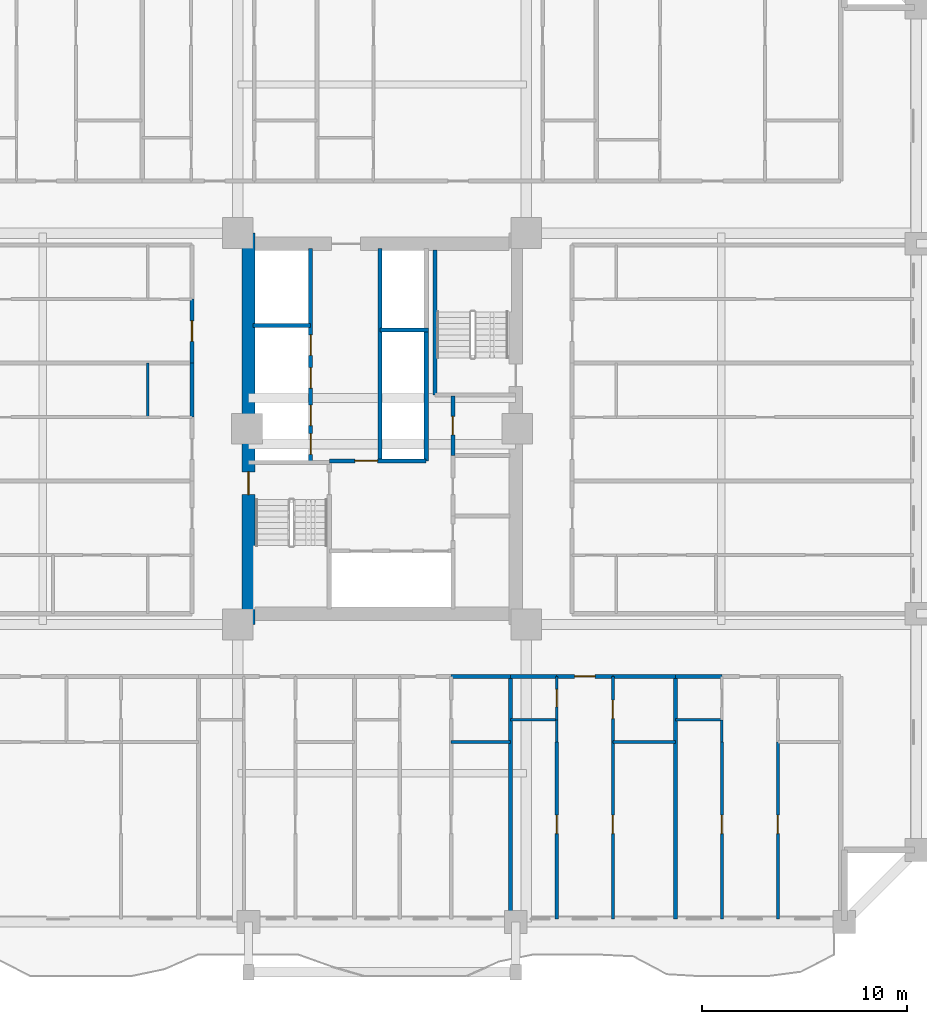
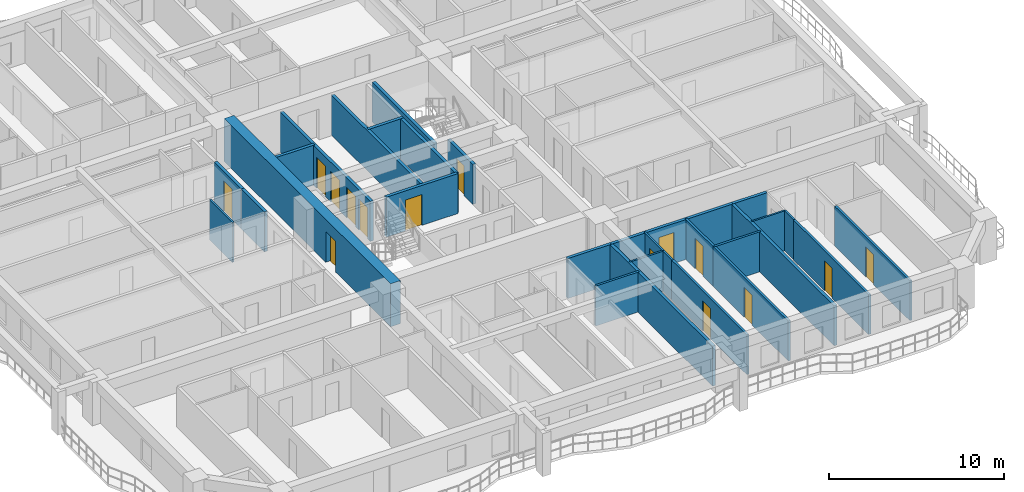
# One storey, part 5 of 16: 31 walls, 15 doors, 15 openings.
"""IFC4 building model written with IfcOpenShell, lengths in metres."""

from ifc_helpers import new_model, si_unit, direction, frame, frame_2d, origin, place, context, subcontext, project, spatial, rectangle, extrude, source, transform, mapped, material, layer, layer_set, type_object, element, fill, save


model = new_model("IFC4")

# Units and contexts
model_context = context("Model", 3, precision=1e-05, world=origin(), true_north=direction((0.0, 1.0)))
body_context = subcontext(model_context, "Body", "Model", "MODEL_VIEW")
ifc_project = project(units=[si_unit("LENGTHUNIT", "METRE"), si_unit("AREAUNIT", "SQUARE_METRE"), si_unit("VOLUMEUNIT", "CUBIC_METRE"), si_unit("PLANEANGLEUNIT", "RADIAN"), si_unit("MASSUNIT", "GRAM", prefix="KILO")], contexts=[model_context])

# Site, building, storey
site_placement = place(None, origin())
site = spatial("IfcSite", under=ifc_project, at=site_placement, CompositionType="ELEMENT")
building_placement = place(site_placement, origin())
building = spatial("IfcBuilding", under=site, at=building_placement, Name="Saelheon Loggia Tower", CompositionType="ELEMENT")
storey_placement = place(building_placement, frame((0.0, 0.0, 58.39990234375)))
storey = spatial("IfcBuildingStorey", under=building, at=storey_placement, Name="L18", CompositionType="ELEMENT", Elevation=58.39990234375)

# Wall, opening, door
ifc_material_1 = material(Name="Concrete C60/75", Category="concrete")
ifc_layer_1 = layer(ifc_material_1, 0.64990234375)
ifc_layer_set_1 = layer_set([ifc_layer_1], Name="Concrete C60/75")
wall_type_1 = type_object("IfcWallType", Name="Wall_CoreShear_650", PredefinedType="SHEAR", material=ifc_layer_set_1)
wall_1_placement = place(storey_placement, frame((31.5, 17.47998046875, 0.0), z_axis=(0.0, 0.0, 1.0), x_axis=(0.0, 1.0, 0.0)))
wall_1 = element("IfcWall", 1, at=wall_1_placement, inside=storey, type_object=wall_type_1, Name="L18 Core Shear Wall West", PredefinedType="SHEAR", context=body_context, shape_type="SweptSolid", body=[
    extrude(rectangle(XDim=19.0400390625, YDim=0.64990234375, at=frame_2d((9.52001953125, 0.0))), origin(), (0.0, 0.0, 1.0), 3.0),
])
opening_1_placement = place(wall_1_placement, frame((6.320068359375, 0.0, 0.0)))
opening_1 = element("IfcOpeningElement", 2, at=opening_1_placement, cuts=wall_1, Name="Opening D-FD2", PredefinedType="OPENING", context=body_context, shape_type="SweptSolid", body=[
    extrude(rectangle(XDim=1.10009765625, YDim=2.14990234375, at=frame_2d((0.550048828125, 1.074951171875))), frame((0.0, 0.3369140625, 0.0), z_axis=(0.0, -1.0, 0.0), x_axis=(1.0, 0.0, 0.0)), (0.0, 0.0, 1.0), 0.673828125),
])
ifc_material_2 = material(Name="Galvanised Steel Fire Door", Category="steel")
door_type_1 = type_object("IfcDoorType", Name="Door_Fire_FD60_1100", OperationType="NOTDEFINED", PredefinedType="DOOR", material=ifc_material_2)
shared_shape_1 = source(origin(), body_context, "Body", "SweptSolid", [
    extrude(rectangle(XDim=1.10009765625, YDim=2.14990234375, at=frame_2d((0.550048828125, 1.074951171875))), frame((0.0, 0.02490234375, 0.0), z_axis=(0.0, -1.0, 0.0), x_axis=(1.0, 0.0, 0.0)), (0.0, 0.0, 1.0), 0.050048828125),
])
door_1_placement = place(opening_1_placement, origin())
door_1 = element("IfcDoor", 3, at=door_1_placement, inside=storey, type_object=door_type_1, Name="L18 Stair ST1 Corridor Door", OperationType="SINGLE_SWING_LEFT", OverallHeight=2.14990234375, OverallWidth=1.10009765625, PredefinedType="DOOR", context=body_context, shape_type="MappedRepresentation", body=[
    mapped(shared_shape_1, transform((0.0, 0.0, 0.0), scale=1.0)),
])
fill(opening_1, door_1)

# Walls
ifc_material_3 = material(Name="Lightweight Autoclaved Aerated Concrete Block and Acoustic Gypsum", Category="concrete")
ifc_layer_2 = layer(ifc_material_3, 0.14990234375)
ifc_layer_set_2 = layer_set([ifc_layer_2], Name="Lightweight Autoclaved Aerated Concrete Block and Acoustic Gypsum")
wall_type_2 = type_object("IfcWallType", Name="Wall_Part_150", PredefinedType="PARTITIONING", material=ifc_layer_set_2)
wall_2_placement = place(storey_placement, frame((41.365966796875, 11.75, 0.0), z_axis=(0.0, 0.0, 1.0), x_axis=(1.0, 0.0, 0.0)))
element("IfcWall", 4, at=wall_2_placement, inside=storey, type_object=wall_type_2, Name="L18 S Partition V33", PredefinedType="PARTITIONING", context=body_context, shape_type="SweptSolid", body=[
    extrude(rectangle(XDim=2.883544921875, YDim=0.14990234375, at=frame_2d((1.44189453125, 0.0))), origin(), (0.0, 0.0, 1.0), 2.7900390625),
])
wall_3_placement = place(storey_placement, frame((49.2314453125, 11.75, 0.0), z_axis=(0.0, 0.0, 1.0), x_axis=(1.0, 0.0, 0.0)))
element("IfcWall", 5, at=wall_3_placement, inside=storey, type_object=wall_type_2, Name="L18 S Partition V44", PredefinedType="PARTITIONING", context=body_context, shape_type="SweptSolid", body=[
    extrude(rectangle(XDim=3.053466796875, YDim=0.14990234375, at=frame_2d((1.52685546875, 0.0))), origin(), (0.0, 0.0, 1.0), 2.7900390625),
])

# Wall, opening, door
wall_4_placement = place(storey_placement, frame((46.49951171875, 11.75, 0.0), z_axis=(0.0, 0.0, 1.0), x_axis=(0.0, -1.0, 0.0)))
wall_4 = element("IfcWall", 6, at=wall_4_placement, inside=storey, type_object=wall_type_2, Name="L18 S Partition U47", PredefinedType="PARTITIONING", context=body_context, shape_type="SweptSolid", body=[
    extrude(rectangle(XDim=8.60009765625, YDim=0.14990234375, at=frame_2d((4.300048828125, 0.0))), origin(), (0.0, 0.0, 1.0), 2.7900390625),
])
opening_2_placement = place(wall_4_placement, frame((3.54931640625, 0.0, 0.0)))
opening_2 = element("IfcOpeningElement", 7, at=opening_2_placement, cuts=wall_4, Name="Opening D-IN2", PredefinedType="OPENING", context=body_context, shape_type="SweptSolid", body=[
    extrude(rectangle(XDim=0.89990234375, YDim=2.10009765625, at=frame_2d((0.449951171875, 1.050048828125))), frame((0.0, 0.0869140625, 0.0), z_axis=(0.0, -1.0, 0.0), x_axis=(1.0, 0.0, 0.0)), (0.0, 0.0, 1.0), 0.173828125),
])
ifc_material_4 = material(Name="Engineered Oak Flush Door", Category="timber")
door_type_2 = type_object("IfcDoorType", Name="Door_Int_900", OperationType="NOTDEFINED", PredefinedType="DOOR", material=ifc_material_4)
shared_shape_2 = source(origin(), body_context, "Body", "SweptSolid", [
    extrude(rectangle(XDim=0.89990234375, YDim=2.10009765625, at=frame_2d((0.449951171875, 1.050048828125))), frame((0.0, 0.02490234375, 0.0), z_axis=(0.0, -1.0, 0.0), x_axis=(1.0, 0.0, 0.0)), (0.0, 0.0, 1.0), 0.050048828125),
])
door_2_placement = place(opening_2_placement, origin())
door_2 = element("IfcDoor", 8, at=door_2_placement, inside=storey, type_object=door_type_2, Name="Unit U04 Kitchen Door", OperationType="SINGLE_SWING_LEFT", OverallHeight=2.10009765625, OverallWidth=0.89990234375, PredefinedType="DOOR", context=body_context, shape_type="MappedRepresentation", body=[
    mapped(shared_shape_2, transform((0.0, 0.0, 0.0), scale=1.0)),
])
fill(opening_2, door_2)

wall_5_placement = place(storey_placement, frame((49.2314453125, 14.949951171875, 0.0), z_axis=(0.0, 0.0, 1.0), x_axis=(0.0, -1.0, 0.0)))
wall_5 = element("IfcWall", 9, at=wall_5_placement, inside=storey, type_object=wall_type_2, Name="L18 S Partition U48", PredefinedType="PARTITIONING", context=body_context, shape_type="SweptSolid", body=[
    extrude(rectangle(XDim=3.199951171875, YDim=0.14990234375, at=frame_2d((1.60009765625, 0.0))), origin(), (0.0, 0.0, 1.0), 2.7900390625),
])
opening_3_placement = place(wall_5_placement, frame((1.14990234375, 0.0, 0.0)))
opening_3 = element("IfcOpeningElement", 10, at=opening_3_placement, cuts=wall_5, Name="Opening D-IN2", PredefinedType="OPENING", context=body_context, shape_type="SweptSolid", body=[
    extrude(rectangle(XDim=0.89990234375, YDim=2.10009765625, at=frame_2d((0.449951171875, 1.050048828125))), frame((0.0, 0.0869140625, 0.0), z_axis=(0.0, -1.0, 0.0), x_axis=(1.0, 0.0, 0.0)), (0.0, 0.0, 1.0), 0.173828125),
])
door_3_placement = place(opening_3_placement, origin())
door_3 = element("IfcDoor", 11, at=door_3_placement, inside=storey, type_object=door_type_2, Name="Unit U04 Dressing Closet Door", OperationType="SINGLE_SWING_RIGHT", OverallHeight=2.10009765625, OverallWidth=0.89990234375, PredefinedType="DOOR", context=body_context, shape_type="MappedRepresentation", body=[
    mapped(shared_shape_2, transform((0.0, 0.0, 0.0), scale=1.0)),
])
fill(opening_3, door_3)

wall_6_placement = place(storey_placement, frame((49.2314453125, 11.75, 0.0), z_axis=(0.0, 0.0, 1.0), x_axis=(0.0, -1.0, 0.0)))
wall_6 = element("IfcWall", 12, at=wall_6_placement, inside=storey, type_object=wall_type_2, Name="L18 S Partition U49", PredefinedType="PARTITIONING", context=body_context, shape_type="SweptSolid", body=[
    extrude(rectangle(XDim=8.60009765625, YDim=0.14990234375, at=frame_2d((4.300048828125, 0.0))), origin(), (0.0, 0.0, 1.0), 2.7900390625),
])
opening_4_placement = place(wall_6_placement, frame((3.54931640625, 0.0, 0.0)))
opening_4 = element("IfcOpeningElement", 13, at=opening_4_placement, cuts=wall_6, Name="Opening D-IN2", PredefinedType="OPENING", context=body_context, shape_type="SweptSolid", body=[
    extrude(rectangle(XDim=0.89990234375, YDim=2.10009765625, at=frame_2d((0.449951171875, 1.050048828125))), frame((0.0, 0.0869140625, 0.0), z_axis=(0.0, -1.0, 0.0), x_axis=(1.0, 0.0, 0.0)), (0.0, 0.0, 1.0), 0.173828125),
])
door_4_placement = place(opening_4_placement, origin())
door_4 = element("IfcDoor", 14, at=door_4_placement, inside=storey, type_object=door_type_2, Name="Unit U04 Bedroom 1 Door", OperationType="SINGLE_SWING_LEFT", OverallHeight=2.10009765625, OverallWidth=0.89990234375, PredefinedType="DOOR", context=body_context, shape_type="MappedRepresentation", body=[
    mapped(shared_shape_2, transform((0.0, 0.0, 0.0), scale=1.0)),
])
fill(opening_4, door_4)

wall_7_placement = place(storey_placement, frame((54.53466796875, 11.75, 0.0), z_axis=(0.0, 0.0, 1.0), x_axis=(0.0, -1.0, 0.0)))
wall_7 = element("IfcWall", 15, at=wall_7_placement, inside=storey, type_object=wall_type_2, Name="L18 S Partition U58", PredefinedType="PARTITIONING", context=body_context, shape_type="SweptSolid", body=[
    extrude(rectangle(XDim=8.60009765625, YDim=0.14990234375, at=frame_2d((4.300048828125, 0.0))), origin(), (0.0, 0.0, 1.0), 2.7900390625),
])
opening_5_placement = place(wall_7_placement, frame((3.54931640625, 0.0, 0.0)))
opening_5 = element("IfcOpeningElement", 16, at=opening_5_placement, cuts=wall_7, Name="Opening D-IN2", PredefinedType="OPENING", context=body_context, shape_type="SweptSolid", body=[
    extrude(rectangle(XDim=0.89990234375, YDim=2.10009765625, at=frame_2d((0.449951171875, 1.050048828125))), frame((0.0, 0.0869140625, 0.0), z_axis=(0.0, -1.0, 0.0), x_axis=(1.0, 0.0, 0.0)), (0.0, 0.0, 1.0), 0.173828125),
])
door_5_placement = place(opening_5_placement, origin())
door_5 = element("IfcDoor", 17, at=door_5_placement, inside=storey, type_object=door_type_2, Name="Unit U05 Kitchen Door", OperationType="SINGLE_SWING_RIGHT", OverallHeight=2.10009765625, OverallWidth=0.89990234375, PredefinedType="DOOR", context=body_context, shape_type="MappedRepresentation", body=[
    mapped(shared_shape_2, transform((0.0, 0.0, 0.0), scale=1.0)),
])
fill(opening_5, door_5)

wall_8_placement = place(storey_placement, frame((57.2666015625, 11.75, 0.0), z_axis=(0.0, 0.0, 1.0), x_axis=(0.0, -1.0, 0.0)))
wall_8 = element("IfcWall", 18, at=wall_8_placement, inside=storey, type_object=wall_type_2, Name="L18 S Partition U60", PredefinedType="PARTITIONING", context=body_context, shape_type="SweptSolid", body=[
    extrude(rectangle(XDim=8.60009765625, YDim=0.14990234375, at=frame_2d((4.300048828125, 0.0))), origin(), (0.0, 0.0, 1.0), 2.7900390625),
])
opening_6_placement = place(wall_8_placement, frame((3.54931640625, 0.0, 0.0)))
opening_6 = element("IfcOpeningElement", 19, at=opening_6_placement, cuts=wall_8, Name="Opening D-IN2", PredefinedType="OPENING", context=body_context, shape_type="SweptSolid", body=[
    extrude(rectangle(XDim=0.89990234375, YDim=2.10009765625, at=frame_2d((0.449951171875, 1.050048828125))), frame((0.0, 0.0869140625, 0.0), z_axis=(0.0, -1.0, 0.0), x_axis=(1.0, 0.0, 0.0)), (0.0, 0.0, 1.0), 0.173828125),
])
door_6_placement = place(opening_6_placement, origin())
door_6 = element("IfcDoor", 20, at=door_6_placement, inside=storey, type_object=door_type_2, Name="Unit U05 Bedroom 1 Door", OperationType="SINGLE_SWING_RIGHT", OverallHeight=2.10009765625, OverallWidth=0.89990234375, PredefinedType="DOOR", context=body_context, shape_type="MappedRepresentation", body=[
    mapped(shared_shape_2, transform((0.0, 0.0, 0.0), scale=1.0)),
])
fill(opening_6, door_6)

# Walls
ifc_material_5 = material(Name="Double Acoustic Stud and Fireboard Partition", Category="gypsum")
ifc_layer_3 = layer(ifc_material_5, 0.199951171875)
ifc_layer_set_3 = layer_set([ifc_layer_3], Name="Double Acoustic Stud and Fireboard Partition")
wall_type_3 = type_object("IfcWallType", Name="Wall_Party_200", PredefinedType="PARTITIONING", material=ifc_layer_set_3)
wall_9_placement = place(storey_placement, frame((41.365966796875, 14.949951171875, 0.0), z_axis=(0.0, 0.0, 1.0), x_axis=(1.0, 0.0, 0.0)))
element("IfcWall", 21, at=wall_9_placement, inside=storey, type_object=wall_type_3, Name="L18 S Partition V31", PredefinedType="PARTITIONING", context=body_context, shape_type="SweptSolid", body=[
    extrude(rectangle(XDim=2.883544921875, YDim=0.199951171875, at=frame_2d((1.44189453125, 0.0))), origin(), (0.0, 0.0, 1.0), 2.7900390625),
])
wall_10_placement = place(storey_placement, frame((44.24951171875, 14.949951171875, 0.0), z_axis=(0.0, 0.0, 1.0), x_axis=(0.0, -1.0, 0.0)))
element("IfcWall", 22, at=wall_10_placement, inside=storey, type_object=wall_type_3, Name="L18 S Partition U39", PredefinedType="PARTITIONING", context=body_context, shape_type="SweptSolid", body=[
    extrude(rectangle(XDim=11.800048828125, YDim=0.199951171875, at=frame_2d((5.89990234375, 0.0))), origin(), (0.0, 0.0, 1.0), 2.7900390625),
])
wall_11_placement = place(storey_placement, frame((44.24951171875, 14.949951171875, 0.0), z_axis=(0.0, 0.0, 1.0), x_axis=(1.0, 0.0, 0.0)))
element("IfcWall", 23, at=wall_11_placement, inside=storey, type_object=wall_type_3, Name="L18 S Partition V40", PredefinedType="PARTITIONING", context=body_context, shape_type="SweptSolid", body=[
    extrude(rectangle(XDim=2.25, YDim=0.199951171875, at=frame_2d((1.125, 0.0))), origin(), (0.0, 0.0, 1.0), 2.7900390625),
])

# Wall, opening, door
wall_12_placement = place(storey_placement, frame((46.49951171875, 14.949951171875, 0.0), z_axis=(0.0, 0.0, 1.0), x_axis=(1.0, 0.0, 0.0)))
wall_12 = element("IfcWall", 24, at=wall_12_placement, inside=storey, type_object=wall_type_3, Name="L18 S Partition V41", PredefinedType="PARTITIONING", context=body_context, shape_type="SweptSolid", body=[
    extrude(rectangle(XDim=2.73193359375, YDim=0.199951171875, at=frame_2d((1.365966796875, 0.0))), origin(), (0.0, 0.0, 1.0), 2.7900390625),
])
opening_7_placement = place(wall_12_placement, frame((0.865966796875, 0.0, 0.0)))
opening_7 = element("IfcOpeningElement", 25, at=opening_7_placement, cuts=wall_12, Name="Opening D-FD1", PredefinedType="OPENING", context=body_context, shape_type="SweptSolid", body=[
    extrude(rectangle(XDim=1.0, YDim=2.14990234375, at=frame_2d((0.5, 1.074951171875))), frame((0.0, 0.112060546875, 0.0), z_axis=(0.0, -1.0, 0.0), x_axis=(1.0, 0.0, 0.0)), (0.0, 0.0, 1.0), 0.223876953125),
])
ifc_material_6 = material(Name="Fire-Rated Engineered Timber Entrance Door", Category="wood")
door_type_3 = type_object("IfcDoorType", Name="Door_Flat_FD30S", OperationType="NOTDEFINED", PredefinedType="DOOR", material=ifc_material_6)
shared_shape_3 = source(origin(), body_context, "Body", "SweptSolid", [
    extrude(rectangle(XDim=1.0, YDim=2.14990234375, at=frame_2d((0.5, 1.074951171875))), frame((0.0, 0.02490234375, 0.0), z_axis=(0.0, -1.0, 0.0), x_axis=(1.0, 0.0, 0.0)), (0.0, 0.0, 1.0), 0.050048828125),
])
door_7_placement = place(opening_7_placement, origin())
door_7 = element("IfcDoor", 26, at=door_7_placement, inside=storey, type_object=door_type_3, Name="Unit U04 Entrance Door", OperationType="SINGLE_SWING_LEFT", OverallHeight=2.14990234375, OverallWidth=1.0, PredefinedType="DOOR", context=body_context, shape_type="MappedRepresentation", body=[
    mapped(shared_shape_3, transform((0.0, 0.0, 0.0), scale=1.0)),
])
fill(opening_7, door_7)

# Walls
wall_13_placement = place(storey_placement, frame((49.2314453125, 14.949951171875, 0.0), z_axis=(0.0, 0.0, 1.0), x_axis=(1.0, 0.0, 0.0)))
element("IfcWall", 27, at=wall_13_placement, inside=storey, type_object=wall_type_3, Name="L18 S Partition V42", PredefinedType="PARTITIONING", context=body_context, shape_type="SweptSolid", body=[
    extrude(rectangle(XDim=3.053466796875, YDim=0.199951171875, at=frame_2d((1.52685546875, 0.0))), origin(), (0.0, 0.0, 1.0), 2.7900390625),
])
wall_14_placement = place(storey_placement, frame((52.284912109375, 14.949951171875, 0.0), z_axis=(0.0, 0.0, 1.0), x_axis=(0.0, -1.0, 0.0)))
element("IfcWall", 28, at=wall_14_placement, inside=storey, type_object=wall_type_3, Name="L18 S Partition U50", PredefinedType="PARTITIONING", context=body_context, shape_type="SweptSolid", body=[
    extrude(rectangle(XDim=11.800048828125, YDim=0.199951171875, at=frame_2d((5.89990234375, 0.0))), origin(), (0.0, 0.0, 1.0), 2.7900390625),
])
wall_15_placement = place(storey_placement, frame((52.284912109375, 14.949951171875, 0.0), z_axis=(0.0, 0.0, 1.0), x_axis=(1.0, 0.0, 0.0)))
element("IfcWall", 29, at=wall_15_placement, inside=storey, type_object=wall_type_3, Name="L18 S Partition V51", PredefinedType="PARTITIONING", context=body_context, shape_type="SweptSolid", body=[
    extrude(rectangle(XDim=2.249755859375, YDim=0.199951171875, at=frame_2d((1.125, 0.0))), origin(), (0.0, 0.0, 1.0), 2.7900390625),
])
wall_16_placement = place(storey_placement, frame((28.75, 27.563720703125, 0.0), z_axis=(0.0, 0.0, 1.0), x_axis=(0.0, 1.0, 0.0)))
element("IfcWall", 30, at=wall_16_placement, inside=storey, type_object=wall_type_3, Name="L18 W Partition V13", PredefinedType="PARTITIONING", context=body_context, shape_type="SweptSolid", body=[
    extrude(rectangle(XDim=2.642333984375, YDim=0.199951171875, at=frame_2d((1.3212890625, 0.0))), origin(), (0.0, 0.0, 1.0), 2.7900390625),
])

# Wall, opening, door
wall_17_placement = place(storey_placement, frame((28.75, 30.2060546875, 0.0), z_axis=(0.0, 0.0, 1.0), x_axis=(0.0, 1.0, 0.0)))
wall_17 = element("IfcWall", 31, at=wall_17_placement, inside=storey, type_object=wall_type_3, Name="L18 W Partition V19", PredefinedType="PARTITIONING", context=body_context, shape_type="SweptSolid", body=[
    extrude(rectangle(XDim=3.101806640625, YDim=0.199951171875, at=frame_2d((1.55078125, 0.0))), origin(), (0.0, 0.0, 1.0), 2.7900390625),
])
opening_8_placement = place(wall_17_placement, frame((1.05078125, 0.0, 0.0)))
opening_8 = element("IfcOpeningElement", 32, at=opening_8_placement, cuts=wall_17, Name="Opening D-FD1", PredefinedType="OPENING", context=body_context, shape_type="SweptSolid", body=[
    extrude(rectangle(XDim=1.0, YDim=2.14990234375, at=frame_2d((0.5, 1.074951171875))), frame((0.0, 0.112060546875, 0.0), z_axis=(0.0, -1.0, 0.0), x_axis=(1.0, 0.0, 0.0)), (0.0, 0.0, 1.0), 0.223876953125),
])
door_8_placement = place(opening_8_placement, origin())
door_8 = element("IfcDoor", 33, at=door_8_placement, inside=storey, type_object=door_type_3, Name="Unit U12 Entrance Door", OperationType="SINGLE_SWING_LEFT", OverallHeight=2.14990234375, OverallWidth=1.0, PredefinedType="DOOR", context=body_context, shape_type="MappedRepresentation", body=[
    mapped(shared_shape_3, transform((0.0, 0.0, 0.0), scale=1.0)),
])
fill(opening_8, door_8)

ifc_material_7 = material(Name="Concrete C40/50", Category="concrete")
ifc_layer_4 = layer(ifc_material_7, 0.199951171875)
ifc_layer_set_4 = layer_set([ifc_layer_4], Name="Concrete C40/50")
wall_type_4 = type_object("IfcWallType", Name="Wall_Shaft_200", PredefinedType="PARTITIONING", material=ifc_layer_set_4)
wall_18_placement = place(storey_placement, frame((41.449951171875, 25.699951171875, 0.0), z_axis=(0.0, 0.0, 1.0), x_axis=(0.0, 1.0, 0.0)))
wall_18 = element("IfcWall", 34, at=wall_18_placement, inside=storey, type_object=wall_type_4, Name="CW-INT-L18-BOH-W3", PredefinedType="PARTITIONING", context=body_context, shape_type="SweptSolid", body=[
    extrude(rectangle(XDim=2.900146484375, YDim=0.199951171875, at=frame_2d((1.4501953125, 0.0))), origin(), (0.0, 0.0, 1.0), 2.7900390625),
])
opening_9_placement = place(wall_18_placement, frame((1.0, 0.0, 0.0)))
opening_9 = element("IfcOpeningElement", 35, at=opening_9_placement, cuts=wall_18, Name="Opening D-RS1", PredefinedType="OPENING", context=body_context, shape_type="SweptSolid", body=[
    extrude(rectangle(XDim=0.89990234375, YDim=2.10009765625, at=frame_2d((0.449951171875, 1.050048828125))), frame((0.0, 0.112060546875, 0.0), z_axis=(0.0, -1.0, 0.0), x_axis=(1.0, 0.0, 0.0)), (0.0, 0.0, 1.0), 0.223876953125),
])
ifc_material_8 = material(Name="Galvanised Steel Riser Access Door", Category="steel")
door_type_4 = type_object("IfcDoorType", Name="Door_Riser_FD60", OperationType="NOTDEFINED", PredefinedType="DOOR", material=ifc_material_8)
door_9_placement = place(opening_9_placement, origin())
door_9 = element("IfcDoor", 36, at=door_9_placement, inside=storey, type_object=door_type_4, Name="L18 Floor IT Room Door", OperationType="SINGLE_SWING_LEFT", OverallHeight=2.10009765625, OverallWidth=0.89990234375, PredefinedType="DOOR", context=body_context, shape_type="MappedRepresentation", body=[
    mapped(shared_shape_2, transform((0.0, 0.0, 0.0), scale=1.0)),
])
fill(opening_9, door_9)

# Wall
wall_19_placement = place(storey_placement, frame((40.14990234375, 25.43994140625, 0.0), z_axis=(0.0, 0.0, 1.0), x_axis=(0.0, 1.0, 0.0)))
element("IfcWall", 37, at=wall_19_placement, inside=storey, type_object=wall_type_4, Name="L18 Core Service Passage West Wall", PredefinedType="PARTITIONING", context=body_context, shape_type="SweptSolid", body=[
    extrude(rectangle(XDim=6.360107421875, YDim=0.199951171875, at=frame_2d((3.18017578125, 0.0))), origin(), (0.0, 0.0, 1.0), 2.7900390625),
])

# Wall, opening, door
wall_20_placement = place(storey_placement, frame((35.429931640625, 25.43994140625, 0.0), z_axis=(0.0, 0.0, 1.0), x_axis=(1.0, 0.0, 0.0)))
wall_20 = element("IfcWall", 38, at=wall_20_placement, inside=storey, type_object=wall_type_4, Name="L18 Firefighting Lobby Compartment Wall", PredefinedType="PARTITIONING", context=body_context, shape_type="SweptSolid", body=[
    extrude(rectangle(XDim=4.719970703125, YDim=0.199951171875, at=frame_2d((2.35986328125, 0.0))), origin(), (0.0, 0.0, 1.0), 2.7900390625),
])
opening_10_placement = place(wall_20_placement, frame((1.25, 0.0, 0.0)))
opening_10 = element("IfcOpeningElement", 39, at=opening_10_placement, cuts=wall_20, Name="Opening D-FD2", PredefinedType="OPENING", context=body_context, shape_type="SweptSolid", body=[
    extrude(rectangle(XDim=1.10009765625, YDim=2.14990234375, at=frame_2d((0.550048828125, 1.074951171875))), frame((0.0, 0.112060546875, 0.0), z_axis=(0.0, -1.0, 0.0), x_axis=(1.0, 0.0, 0.0)), (0.0, 0.0, 1.0), 0.223876953125),
])
door_10_placement = place(opening_10_placement, origin())
door_10 = element("IfcDoor", 40, at=door_10_placement, inside=storey, type_object=door_type_1, Name="L18 Firefighting Lobby Door", OperationType="SINGLE_SWING_RIGHT", OverallHeight=2.14990234375, OverallWidth=1.10009765625, PredefinedType="DOOR", context=body_context, shape_type="MappedRepresentation", body=[
    mapped(shared_shape_1, transform((0.0, 0.0, 0.0), scale=1.0)),
])
fill(opening_10, door_10)

# Wall, openings, doors
wall_21_placement = place(storey_placement, frame((34.52001953125, 25.43994140625, 0.0), z_axis=(0.0, 0.0, 1.0), x_axis=(0.0, 1.0, 0.0)))
wall_21 = element("IfcWall", 41, at=wall_21_placement, inside=storey, type_object=wall_type_4, Name="L18 West Passenger Lift Bank Wall", PredefinedType="PARTITIONING", context=body_context, shape_type="SweptSolid", body=[
    extrude(rectangle(XDim=10.340087890625, YDim=0.199951171875, at=frame_2d((5.169921875, 0.0))), origin(), (0.0, 0.0, 1.0), 2.7900390625),
])
opening_11_placement = place(wall_21_placement, frame((0.320068359375, 0.0, 0.0)))
opening_11 = element("IfcOpeningElement", 42, at=opening_11_placement, cuts=wall_21, Name="Opening LD1", PredefinedType="OPENING", context=body_context, shape_type="SweptSolid", body=[
    extrude(rectangle(XDim=1.0, YDim=2.14990234375, at=frame_2d((0.5, 1.074951171875))), frame((0.0, 0.112060546875, 0.0), z_axis=(0.0, -1.0, 0.0), x_axis=(1.0, 0.0, 0.0)), (0.0, 0.0, 1.0), 0.223876953125),
])
opening_12_placement = place(wall_21_placement, frame((1.7099609375, 0.0, 0.0)))
opening_12 = element("IfcOpeningElement", 43, at=opening_12_placement, cuts=wall_21, Name="Opening LD1", PredefinedType="OPENING", context=body_context, shape_type="SweptSolid", body=[
    extrude(rectangle(XDim=1.0, YDim=2.14990234375, at=frame_2d((0.5, 1.074951171875))), frame((0.0, 0.112060546875, 0.0), z_axis=(0.0, -1.0, 0.0), x_axis=(1.0, 0.0, 0.0)), (0.0, 0.0, 1.0), 0.223876953125),
])
opening_13_placement = place(wall_21_placement, frame((3.534912109375, 0.0, 0.0)))
opening_13 = element("IfcOpeningElement", 44, at=opening_13_placement, cuts=wall_21, Name="Opening LD1", PredefinedType="OPENING", context=body_context, shape_type="SweptSolid", body=[
    extrude(rectangle(XDim=1.0, YDim=2.14990234375, at=frame_2d((0.5, 1.074951171875))), frame((0.0, 0.112060546875, 0.0), z_axis=(0.0, -1.0, 0.0), x_axis=(1.0, 0.0, 0.0)), (0.0, 0.0, 1.0), 0.223876953125),
])
opening_14_placement = place(wall_21_placement, frame((5.135009765625, 0.0, 0.0)))
opening_14 = element("IfcOpeningElement", 45, at=opening_14_placement, cuts=wall_21, Name="Opening LD1", PredefinedType="OPENING", context=body_context, shape_type="SweptSolid", body=[
    extrude(rectangle(XDim=1.0, YDim=2.14990234375, at=frame_2d((0.5, 1.074951171875))), frame((0.0, 0.112060546875, 0.0), z_axis=(0.0, -1.0, 0.0), x_axis=(1.0, 0.0, 0.0)), (0.0, 0.0, 1.0), 0.223876953125),
])
ifc_material_9 = material(Name="Brushed Stainless Steel 304 Landing Door", Category="steel")
door_type_5 = type_object("IfcDoorType", Name="Door_Lift_LD1", OperationType="DOUBLE_DOOR_SLIDING", PredefinedType="DOOR", material=ifc_material_9)
door_11_placement = place(opening_11_placement, origin())
door_11 = element("IfcDoor", 46, at=door_11_placement, inside=storey, type_object=door_type_5, Name="L18 PL1 Landing Door", OperationType="DOUBLE_DOOR_SLIDING", OverallHeight=2.14990234375, OverallWidth=1.0, PredefinedType="DOOR", context=body_context, shape_type="MappedRepresentation", body=[
    mapped(shared_shape_3, transform((0.0, 0.0, 0.0), scale=1.0)),
])
fill(opening_11, door_11)
door_12_placement = place(opening_12_placement, origin())
door_12 = element("IfcDoor", 47, at=door_12_placement, inside=storey, type_object=door_type_5, Name="L18 PL2 Landing Door", OperationType="DOUBLE_DOOR_SLIDING", OverallHeight=2.14990234375, OverallWidth=1.0, PredefinedType="DOOR", context=body_context, shape_type="MappedRepresentation", body=[
    mapped(shared_shape_3, transform((0.0, 0.0, 0.0), scale=1.0)),
])
fill(opening_12, door_12)
door_13_placement = place(opening_13_placement, origin())
door_13 = element("IfcDoor", 48, at=door_13_placement, inside=storey, type_object=door_type_5, Name="L18 PL3 Landing Door", OperationType="DOUBLE_DOOR_SLIDING", OverallHeight=2.14990234375, OverallWidth=1.0, PredefinedType="DOOR", context=body_context, shape_type="MappedRepresentation", body=[
    mapped(shared_shape_3, transform((0.0, 0.0, 0.0), scale=1.0)),
])
fill(opening_13, door_13)
door_14_placement = place(opening_14_placement, origin())
door_14 = element("IfcDoor", 49, at=door_14_placement, inside=storey, type_object=door_type_5, Name="L18 PL4 Landing Door", OperationType="DOUBLE_DOOR_SLIDING", OverallHeight=2.14990234375, OverallWidth=1.0, PredefinedType="DOOR", context=body_context, shape_type="MappedRepresentation", body=[
    mapped(shared_shape_3, transform((0.0, 0.0, 0.0), scale=1.0)),
])
fill(opening_14, door_14)

# Walls
wall_22_placement = place(storey_placement, frame((31.719970703125, 32.02001953125, 0.0), z_axis=(0.0, 0.0, 1.0), x_axis=(1.0, 0.0, 0.0)))
element("IfcWall", 50, at=wall_22_placement, inside=storey, type_object=wall_type_4, Name="L18 West High-Rise Shaft Divider", PredefinedType="PARTITIONING", context=body_context, shape_type="SweptSolid", body=[
    extrude(rectangle(XDim=2.800048828125, YDim=0.199951171875, at=frame_2d((1.39990234375, 0.0))), origin(), (0.0, 0.0, 1.0), 2.7900390625),
])
wall_23_placement = place(storey_placement, frame((37.89990234375, 25.43994140625, 0.0), z_axis=(0.0, 0.0, 1.0), x_axis=(0.0, 1.0, 0.0)))
element("IfcWall", 51, at=wall_23_placement, inside=storey, type_object=wall_type_4, Name="L18 East Passenger Lift Bank Wall", PredefinedType="PARTITIONING", context=body_context, shape_type="SweptSolid", body=[
    extrude(rectangle(XDim=10.340087890625, YDim=0.199951171875, at=frame_2d((5.169921875, 0.0))), origin(), (0.0, 0.0, 1.0), 2.7900390625),
])
wall_24_placement = place(storey_placement, frame((37.89990234375, 31.800048828125, 0.0), z_axis=(0.0, 0.0, 1.0), x_axis=(1.0, 0.0, 0.0)))
element("IfcWall", 52, at=wall_24_placement, inside=storey, type_object=wall_type_4, Name="L18 East High-Rise Shaft Divider", PredefinedType="PARTITIONING", context=body_context, shape_type="SweptSolid", body=[
    extrude(rectangle(XDim=2.35009765625, YDim=0.199951171875, at=frame_2d((1.175048828125, 0.0))), origin(), (0.0, 0.0, 1.0), 2.7900390625),
])
ifc_material_10 = material(Name="Concrete C45/55", Category="concrete")
ifc_layer_5 = layer(ifc_material_10, 0.199951171875)
ifc_layer_set_5 = layer_set([ifc_layer_5], Name="Concrete C45/55")
wall_type_5 = type_object("IfcWallType", Name="Wall_StairShaft_RC200", PredefinedType="SOLIDWALL", material=ifc_layer_set_5)
wall_25_placement = place(storey_placement, frame((40.570068359375, 28.64990234375, 0.0), z_axis=(0.0, 0.0, 1.0), x_axis=(0.0, 1.0, 0.0)))
element("IfcWall", 53, at=wall_25_placement, inside=storey, type_object=wall_type_5, Name="L18 Stair ST2 Shaft Wall", PredefinedType="SOLIDWALL", context=body_context, shape_type="SweptSolid", body=[
    extrude(rectangle(XDim=7.050048828125, YDim=0.199951171875, at=frame_2d((3.52490234375, 0.0))), origin(), (0.0, 0.0, 1.0), 2.7900390625),
])
ifc_material_11 = material(Name="Moisture-Resistant Cement Board Partition", Category="gypsum")
ifc_layer_6 = layer(ifc_material_11, 0.1201171875)
ifc_layer_set_6 = layer_set([ifc_layer_6], Name="Moisture-Resistant Cement Board Partition")
wall_type_6 = type_object("IfcWallType", Name="Wall_WetPart_120", PredefinedType="PARTITIONING", material=ifc_layer_set_6)
wall_26_placement = place(storey_placement, frame((44.24951171875, 12.830078125, 0.0), z_axis=(0.0, 0.0, 1.0), x_axis=(1.0, 0.0, 0.0)))
element("IfcWall", 54, at=wall_26_placement, inside=storey, type_object=wall_type_6, Name="L18 S Partition V43", PredefinedType="PARTITIONING", context=body_context, shape_type="SweptSolid", body=[
    extrude(rectangle(XDim=2.25, YDim=0.1201171875, at=frame_2d((1.125, 0.0))), origin(), (0.0, 0.0, 1.0), 2.7900390625),
])

# Wall, opening, door
wall_27_placement = place(storey_placement, frame((46.49951171875, 14.949951171875, 0.0), z_axis=(0.0, 0.0, 1.0), x_axis=(0.0, -1.0, 0.0)))
wall_27 = element("IfcWall", 55, at=wall_27_placement, inside=storey, type_object=wall_type_6, Name="L18 S Partition U45", PredefinedType="PARTITIONING", context=body_context, shape_type="SweptSolid", body=[
    extrude(rectangle(XDim=2.119873046875, YDim=0.1201171875, at=frame_2d((1.06005859375, 0.0))), origin(), (0.0, 0.0, 1.0), 2.7900390625),
])
opening_15_placement = place(wall_27_placement, frame((0.635009765625, 0.0, 0.0)))
opening_15 = element("IfcOpeningElement", 56, at=opening_15_placement, cuts=wall_27, Name="Opening D-BT1", PredefinedType="OPENING", context=body_context, shape_type="SweptSolid", body=[
    extrude(rectangle(XDim=0.85009765625, YDim=2.050048828125, at=frame_2d((0.425048828125, 1.02490234375))), frame((0.0, 0.072021484375, 0.0), z_axis=(0.0, -1.0, 0.0), x_axis=(1.0, 0.0, 0.0)), (0.0, 0.0, 1.0), 0.14404296875),
])
ifc_material_12 = material(Name="Moisture-Resistant Laminate Timber Door", Category="wood")
door_type_6 = type_object("IfcDoorType", Name="Door_Bath_850", OperationType="NOTDEFINED", PredefinedType="DOOR", material=ifc_material_12)
shared_shape_4 = source(origin(), body_context, "Body", "SweptSolid", [
    extrude(rectangle(XDim=0.85009765625, YDim=2.050048828125, at=frame_2d((0.425048828125, 1.02490234375))), frame((0.0, 0.02490234375, 0.0), z_axis=(0.0, -1.0, 0.0), x_axis=(1.0, 0.0, 0.0)), (0.0, 0.0, 1.0), 0.050048828125),
])
door_15_placement = place(opening_15_placement, origin())
door_15 = element("IfcDoor", 57, at=door_15_placement, inside=storey, type_object=door_type_6, Name="Unit U04 Bathroom Door", OperationType="SINGLE_SWING_RIGHT", OverallHeight=2.050048828125, OverallWidth=0.85009765625, PredefinedType="DOOR", context=body_context, shape_type="MappedRepresentation", body=[
    mapped(shared_shape_4, transform((0.0, 0.0, 0.0), scale=1.0)),
])
fill(opening_15, door_15)

# Walls
wall_28_placement = place(storey_placement, frame((46.49951171875, 12.830078125, 0.0), z_axis=(0.0, 0.0, 1.0), x_axis=(0.0, -1.0, 0.0)))
element("IfcWall", 58, at=wall_28_placement, inside=storey, type_object=wall_type_6, Name="L18 S Partition U46", PredefinedType="PARTITIONING", context=body_context, shape_type="SweptSolid", body=[
    extrude(rectangle(XDim=1.080078125, YDim=0.1201171875, at=frame_2d((0.5400390625, 0.0))), origin(), (0.0, 0.0, 1.0), 2.7900390625),
])
wall_29_placement = place(storey_placement, frame((52.284912109375, 12.830078125, 0.0), z_axis=(0.0, 0.0, 1.0), x_axis=(1.0, 0.0, 0.0)))
element("IfcWall", 59, at=wall_29_placement, inside=storey, type_object=wall_type_6, Name="L18 S Partition V54", PredefinedType="PARTITIONING", context=body_context, shape_type="SweptSolid", body=[
    extrude(rectangle(XDim=2.249755859375, YDim=0.1201171875, at=frame_2d((1.125, 0.0))), origin(), (0.0, 0.0, 1.0), 2.7900390625),
])
wall_30_placement = place(storey_placement, frame((54.53466796875, 12.830078125, 0.0), z_axis=(0.0, 0.0, 1.0), x_axis=(0.0, -1.0, 0.0)))
element("IfcWall", 60, at=wall_30_placement, inside=storey, type_object=wall_type_6, Name="L18 S Partition U57", PredefinedType="PARTITIONING", context=body_context, shape_type="SweptSolid", body=[
    extrude(rectangle(XDim=1.080078125, YDim=0.1201171875, at=frame_2d((0.5400390625, 0.0))), origin(), (0.0, 0.0, 1.0), 2.7900390625),
])
wall_31_placement = place(storey_placement, frame((26.60009765625, 27.563720703125, 0.0), z_axis=(0.0, 0.0, 1.0), x_axis=(0.0, 1.0, 0.0)))
element("IfcWall", 61, at=wall_31_placement, inside=storey, type_object=wall_type_6, Name="L18 W Partition V16", PredefinedType="PARTITIONING", context=body_context, shape_type="SweptSolid", body=[
    extrude(rectangle(XDim=2.642333984375, YDim=0.1201171875, at=frame_2d((1.3212890625, 0.0))), origin(), (0.0, 0.0, 1.0), 2.7900390625),
])

save(model, "model.ifc")
